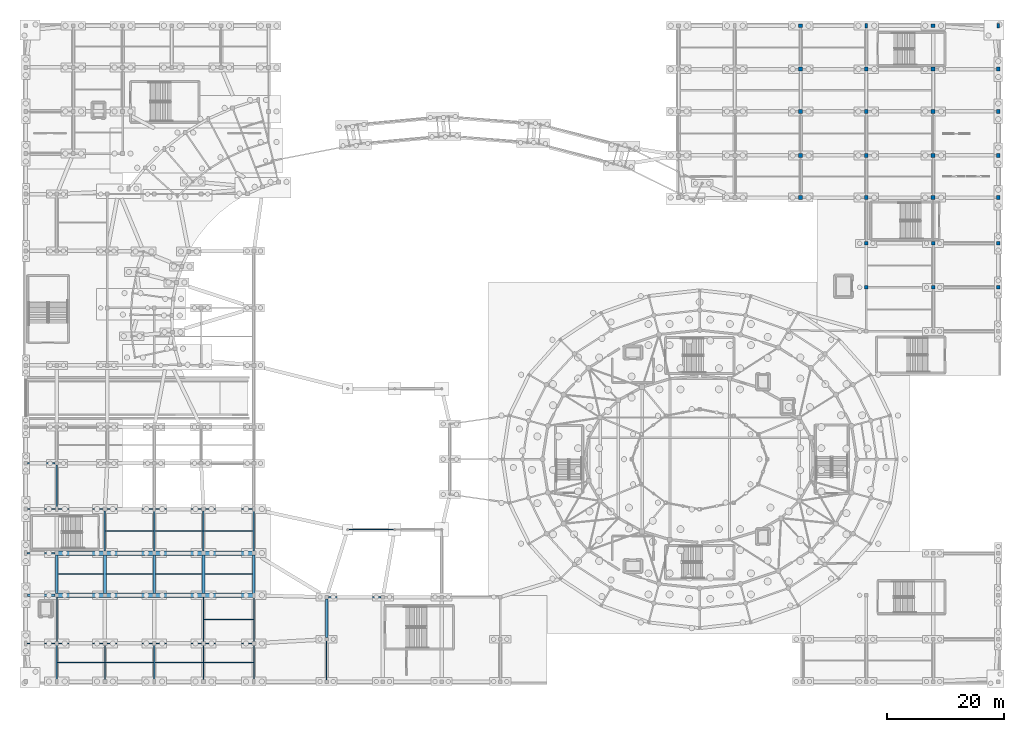
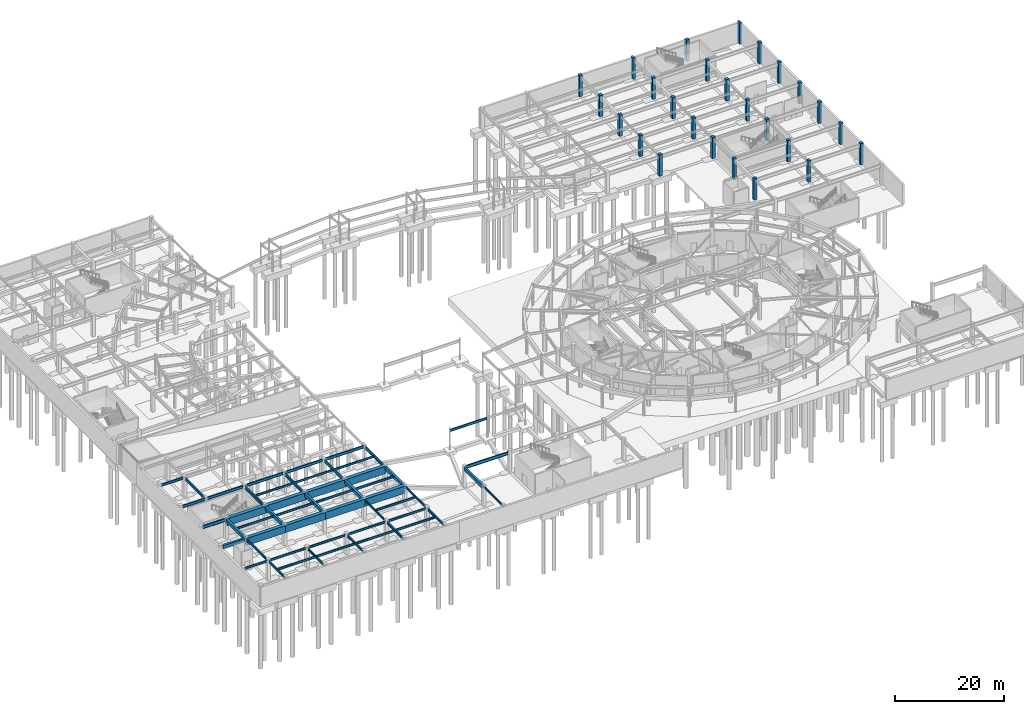
# One storey, part 26 of 68: 55 beams, 26 columns.
"""IFC4 building model written with IfcOpenShell, lengths in metres."""

from ifc_helpers import new_model, si_unit, direction, frame, origin, origin_2d, place, context, subcontext, project, spatial, rectangle, i_section, extrude, material, material_profile, profile_set, type_object, element, save


model = new_model("IFC4")

# Units and contexts
model_context = context("Model", 3, precision=1e-05, world=origin(), true_north=direction((0.0, 1.0)))
body_context = subcontext(model_context, "Body", "Model", "MODEL_VIEW")
ifc_project = project(units=[si_unit("LENGTHUNIT", "METRE"), si_unit("AREAUNIT", "SQUARE_METRE"), si_unit("VOLUMEUNIT", "CUBIC_METRE"), si_unit("PLANEANGLEUNIT", "RADIAN"), si_unit("MASSUNIT", "GRAM", prefix="KILO")], contexts=[model_context])

# Site, building, storey
site_placement = place(None, origin())
site = spatial("IfcSite", under=ifc_project, at=site_placement, CompositionType="ELEMENT")
building_placement = place(site_placement, origin())
building = spatial("IfcBuilding", under=site, at=building_placement, Name="Cinderbank Siding Concert Hall", CompositionType="ELEMENT")
storey_placement = place(building_placement, frame((0.0, 0.0, -4.800048828125)))
storey = spatial("IfcBuildingStorey", under=building, at=storey_placement, Name="B1", CompositionType="ELEMENT", Elevation=-4.800048828125)

# Columns
ifc_material_1 = material(Name="Reinforced concrete AS 3600 N50 (50 MPa)", Category="concrete")
ifc_material_profile_1 = material_profile(ifc_material_1, rectangle(XDim=0.60009765625, YDim=0.60009765625, at=origin_2d()), Name="RC-COL-600x600", Category="LoadBearing")
ifc_profile_set_1 = profile_set([ifc_material_profile_1], Name="Reinforced concrete AS 3600 N50 (50 MPa)")
column_type_1 = type_object("IfcColumnType", Name="C-RC600 RC-COL-600x600", PredefinedType="COLUMN", material=ifc_profile_set_1)
for number, where, z_axis, x_axis, name in (
    (1, (150.39990234375, 73.300048828125, 0.0), (0.0, 0.0, 1.0), (1.0, 0.0, 0.0), "B1 Column COL-EL-1-2"),
    (2, (150.39990234375, 80.800048828125, 0.0), (0.0, 0.0, 1.0), (1.0, 0.0, 0.0), "B1 Column COL-EL-1-3"),
    (3, (161.800048828125, 73.300048828125, 0.0), (0.0, 0.0, 1.0), (1.0, 0.0, 0.0), "B1 Column COL-EL-2-2"),
    (4, (161.800048828125, 80.800048828125, 0.0), (0.0, 0.0, 1.0), (1.0, 0.0, 0.0), "B1 Column COL-EL-2-3"),
    (5, (172.89990234375, 73.300048828125, 0.0), (0.0, 0.0, 1.0), (1.0, 0.0, 0.0), "B1 Column COL-EL-3-2"),
    (6, (172.89990234375, 80.800048828125, 0.0), (0.0, 0.0, 1.0), (1.0, 0.0, 0.0), "B1 Column COL-EL-3-3"),
):
    element("IfcColumn", number, at=place(storey_placement, frame(where, z_axis=z_axis, x_axis=x_axis)), inside=storey, type_object=column_type_1, Name=name, PredefinedType="COLUMN", context=body_context, shape_type="SweptSolid", body=[
        extrude(rectangle(XDim=0.60009765625, YDim=0.60009765625, at=origin_2d()), origin(), (0.0, 0.0, 1.0), 4.800048828125),
    ])
ifc_material_profile_2 = material_profile(ifc_material_1, rectangle(XDim=0.64990234375, YDim=0.64990234375, at=origin_2d()), Name="RC-COL-650x650", Category="LoadBearing")
ifc_profile_set_2 = profile_set([ifc_material_profile_2], Name="Reinforced concrete AS 3600 N50 (50 MPa)")
column_type_2 = type_object("IfcColumnType", Name="C-RC650 RC-COL-650x650", PredefinedType="COLUMN", material=ifc_profile_set_2)
for number, where, z_axis, x_axis, name in (
    (7, (139.199951171875, 88.60009765625, 0.0), (0.0, 0.0, 1.0), (1.0, 0.0, 0.0), "B1 Column COL-V3-3-1"),
    (8, (139.199951171875, 95.800048828125, 0.0), (0.0, 0.0, 1.0), (1.0, 0.0, 0.0), "B1 Column COL-V3-3-2"),
    (9, (139.199951171875, 103.300048828125, 0.0), (0.0, 0.0, 1.0), (1.0, 0.0, 0.0), "B1 Column COL-V3-3-3"),
    (10, (139.199951171875, 110.5, 0.0), (0.0, 0.0, 1.0), (1.0, 0.0, 0.0), "B1 Column COL-V3-3-4"),
    (11, (139.199951171875, 117.89990234375, 0.0), (0.0, 0.0, 1.0), (1.0, 0.0, 0.0), "B1 Column COL-V3-3-5"),
    (12, (150.39990234375, 88.60009765625, 0.0), (0.0, 0.0, 1.0), (1.0, 0.0, 0.0), "B1 Column COL-V3-4-1"),
    (13, (150.39990234375, 95.800048828125, 0.0), (0.0, 0.0, 1.0), (1.0, 0.0, 0.0), "B1 Column COL-V3-4-2"),
    (14, (150.39990234375, 103.300048828125, 0.0), (0.0, 0.0, 1.0), (1.0, 0.0, 0.0), "B1 Column COL-V3-4-3"),
    (15, (150.39990234375, 110.5, 0.0), (0.0, 0.0, 1.0), (1.0, 0.0, 0.0), "B1 Column COL-V3-4-4"),
    (16, (161.800048828125, 88.60009765625, 0.0), (0.0, 0.0, 1.0), (1.0, 0.0, 0.0), "B1 Column COL-V3-5-1"),
    (17, (161.800048828125, 95.800048828125, 0.0), (0.0, 0.0, 1.0), (1.0, 0.0, 0.0), "B1 Column COL-V3-5-2"),
    (18, (161.800048828125, 103.300048828125, 0.0), (0.0, 0.0, 1.0), (1.0, 0.0, 0.0), "B1 Column COL-V3-5-3"),
    (19, (161.800048828125, 110.5, 0.0), (0.0, 0.0, 1.0), (1.0, 0.0, 0.0), "B1 Column COL-V3-5-4"),
    (20, (161.800048828125, 117.89990234375, 0.0), (0.0, 0.0, 1.0), (1.0, 0.0, 0.0), "B1 Column COL-V3-5-5"),
    (21, (172.89990234375, 88.60009765625, 0.0), (0.0, 0.0, 1.0), (1.0, 0.0, 0.0), "B1 Column COL-V3-6-1"),
    (22, (172.89990234375, 95.800048828125, 0.0), (0.0, 0.0, 1.0), (1.0, 0.0, 0.0), "B1 Column COL-V3-6-2"),
    (23, (172.89990234375, 103.300048828125, 0.0), (0.0, 0.0, 1.0), (1.0, 0.0, 0.0), "B1 Column COL-V3-6-3"),
    (24, (172.89990234375, 110.5, 0.0), (0.0, 0.0, 1.0), (1.0, 0.0, 0.0), "B1 Column COL-V3-6-4"),
):
    element("IfcColumn", number, at=place(storey_placement, frame(where, z_axis=z_axis, x_axis=x_axis)), inside=storey, type_object=column_type_2, Name=name, PredefinedType="COLUMN", context=body_context, shape_type="SweptSolid", body=[
        extrude(rectangle(XDim=0.64990234375, YDim=0.64990234375, at=origin_2d()), origin(), (0.0, 0.0, 1.0), 4.800048828125),
    ])
ifc_material_profile_3 = material_profile(ifc_material_1, rectangle(XDim=0.449951171875, YDim=0.85009765625, at=origin_2d()), Name="RC-PIER-450x850", Category="LoadBearing")
ifc_profile_set_3 = profile_set([ifc_material_profile_3], Name="Reinforced concrete AS 3600 N50 (50 MPa)")
column_type_3 = type_object("IfcColumnType", Name="PL-RC850 RC-PIER-450x850", PredefinedType="PILASTER", material=ifc_profile_set_3)
for number, where, z_axis, x_axis, name in (
    (25, (150.39990234375, 117.89990234375, 0.0), (0.0, 0.0, 1.0), (1.0, 0.0, 0.0), "B1 Column COL-V3-4-5"),
    (26, (172.89990234375, 117.89990234375, 0.0), (0.0, 0.0, 1.0), (1.0, 0.0, 0.0), "B1 Column COL-V3-6-5"),
):
    element("IfcColumn", number, at=place(storey_placement, frame(where, z_axis=z_axis, x_axis=x_axis)), inside=storey, type_object=column_type_3, Name=name, PredefinedType="PILASTER", context=body_context, shape_type="SweptSolid", body=[
        extrude(rectangle(XDim=0.449951171875, YDim=0.85009765625, at=origin_2d()), origin(), (0.0, 0.0, 1.0), 4.800048828125),
    ])

# Beams
ifc_material_profile_4 = material_profile(ifc_material_1, rectangle(XDim=0.449951171875, YDim=0.75, at=origin_2d()), Name="RC-BM-450x750", Category="LoadBearing")
ifc_profile_set_4 = profile_set([ifc_material_profile_4], Name="Reinforced concrete AS 3600 N50 (50 MPa)")
beam_type_1 = type_object("IfcBeamType", Name="BM-RC750 RC-BM-450x750", PredefinedType="BEAM", material=ifc_profile_set_4)
beam_1_placement = place(storey_placement, frame((7.4169921875, 20.800048828125, 4.10693359375), z_axis=(1.0, 0.0, 0.0), x_axis=(0.0, 1.0, 0.0)))
element("IfcBeam", 27, at=beam_1_placement, inside=storey, type_object=beam_type_1, Name="B1 Beam BM-RC750 #1069", PredefinedType="BEAM", context=body_context, shape_type="SweptSolid", body=[
    extrude(rectangle(XDim=0.449951171875, YDim=0.75, at=origin_2d()), origin(), (0.0, 0.0, 1.0), 4.666015625),
])
for number, where, z_axis, x_axis, name in (
    (28, (12.39990234375, 21.116943359375, 4.10693359375), (0.0, 1.0, 0.0), (-1.0, 0.0, 0.0), "B1 Beam BM-RC750 #1075"),
    (29, (20.60009765625, 21.116943359375, 4.10693359375), (0.0, 1.0, 0.0), (-1.0, 0.0, 0.0), "B1 Beam BM-RC750 #1080"),
    (30, (29.0, 21.116943359375, 4.10693359375), (0.0, 1.0, 0.0), (-1.0, 0.0, 0.0), "B1 Beam BM-RC750 #1085"),
    (31, (37.39990234375, 21.116943359375, 4.10693359375), (0.0, 1.0, 0.0), (-1.0, 0.0, 0.0), "B1 Beam BM-RC750 #1092"),
):
    element("IfcBeam", number, at=place(storey_placement, frame(where, z_axis=z_axis, x_axis=x_axis)), inside=storey, type_object=beam_type_1, Name=name, PredefinedType="BEAM", context=body_context, shape_type="SweptSolid", body=[
        extrude(rectangle(XDim=0.449951171875, YDim=0.75, at=origin_2d()), origin(), (0.0, 0.0, 1.0), 6.566162109375),
    ])
beam_2_placement = place(storey_placement, frame((46.0, 21.01708984375, 4.10693359375), z_axis=(0.0, 1.0, 0.0), x_axis=(-1.0, 0.0, 0.0)))
element("IfcBeam", 32, at=beam_2_placement, inside=storey, type_object=beam_type_1, Name="B1 Beam BM-RC750 #1097", PredefinedType="BEAM", context=body_context, shape_type="SweptSolid", body=[
    extrude(rectangle(XDim=0.449951171875, YDim=0.75, at=origin_2d()), origin(), (0.0, 0.0, 1.0), 6.666015625),
])
beam_3_placement = place(storey_placement, frame((58.39990234375, 13.592041015625, 4.14697265625), z_axis=(0.0, 1.0, 0.0), x_axis=(-1.0, 0.0, 0.0)))
element("IfcBeam", 33, at=beam_3_placement, inside=storey, type_object=beam_type_1, Name="B1 Beam BM-RC750 #1166", PredefinedType="BEAM", context=body_context, shape_type="SweptSolid", body=[
    extrude(rectangle(XDim=0.449951171875, YDim=0.75, at=origin_2d()), origin(), (0.0, 0.0, 1.0), 6.615966796875),
])
ifc_material_profile_5 = material_profile(ifc_material_1, rectangle(XDim=0.75, YDim=1.60009765625, at=origin_2d()), Name="RC-TG-750x1600", Category="LoadBearing")
ifc_profile_set_5 = profile_set([ifc_material_profile_5], Name="Reinforced concrete AS 3600 N50 (50 MPa)")
beam_type_2 = type_object("IfcBeamType", Name="BM-TG1600 RC-TG-750x1600", PredefinedType="BEAM", material=ifc_profile_set_5)
beam_4_placement = place(storey_placement, frame((12.39990234375, 20.800048828125, 3.68212890625), z_axis=(1.0, 0.0, 0.0), x_axis=(0.0, 1.0, 0.0)))
element("IfcBeam", 34, at=beam_4_placement, inside=storey, type_object=beam_type_2, Name="B1 Transfer Girder BM-TG1600 #7", PredefinedType="BEAM", context=body_context, shape_type="SweptSolid", body=[
    extrude(rectangle(XDim=0.75, YDim=1.60009765625, at=origin_2d()), origin(), (0.0, 0.0, 1.0), 8.2001953125),
])
for number, where, z_axis, x_axis, name in (
    (35, (20.60009765625, 20.800048828125, 3.68212890625), (1.0, 0.0, 0.0), (0.0, 1.0, 0.0), "B1 Transfer Girder BM-TG1600 #8"),
    (36, (29.0, 20.800048828125, 3.68212890625), (1.0, 0.0, 0.0), (0.0, 1.0, 0.0), "B1 Transfer Girder BM-TG1600 #9"),
):
    element("IfcBeam", number, at=place(storey_placement, frame(where, z_axis=z_axis, x_axis=x_axis)), inside=storey, type_object=beam_type_2, Name=name, PredefinedType="BEAM", context=body_context, shape_type="SweptSolid", body=[
        extrude(rectangle(XDim=0.75, YDim=1.60009765625, at=origin_2d()), origin(), (0.0, 0.0, 1.0), 8.39990234375),
    ])
beam_5_placement = place(storey_placement, frame((37.39990234375, 20.800048828125, 3.68212890625), z_axis=(1.0, 0.0, 0.0), x_axis=(0.0, 1.0, 0.0)))
element("IfcBeam", 37, at=beam_5_placement, inside=storey, type_object=beam_type_2, Name="B1 Transfer Girder BM-TG1600 #10", PredefinedType="BEAM", context=body_context, shape_type="SweptSolid", body=[
    extrude(rectangle(XDim=0.75, YDim=1.60009765625, at=origin_2d()), origin(), (0.0, 0.0, 1.0), 8.60009765625),
])
beam_6_placement = place(storey_placement, frame((12.39990234375, 28.0, 3.68212890625), z_axis=(1.0, 0.0, 0.0), x_axis=(0.0, 1.0, 0.0)))
element("IfcBeam", 38, at=beam_6_placement, inside=storey, type_object=beam_type_2, Name="B1 Transfer Girder BM-TG1600 #11", PredefinedType="BEAM", context=body_context, shape_type="SweptSolid", body=[
    extrude(rectangle(XDim=0.75, YDim=1.60009765625, at=origin_2d()), origin(), (0.0, 0.0, 1.0), 8.2001953125),
])
for number, where, z_axis, x_axis, name in (
    (39, (20.60009765625, 28.0, 3.68212890625), (1.0, 0.0, 0.0), (0.0, 1.0, 0.0), "B1 Transfer Girder BM-TG1600 #12"),
    (40, (29.0, 28.0, 3.68212890625), (1.0, 0.0, 0.0), (0.0, 1.0, 0.0), "B1 Transfer Girder BM-TG1600 #13"),
):
    element("IfcBeam", number, at=place(storey_placement, frame(where, z_axis=z_axis, x_axis=x_axis)), inside=storey, type_object=beam_type_2, Name=name, PredefinedType="BEAM", context=body_context, shape_type="SweptSolid", body=[
        extrude(rectangle(XDim=0.75, YDim=1.60009765625, at=origin_2d()), origin(), (0.0, 0.0, 1.0), 8.39990234375),
    ])
beam_7_placement = place(storey_placement, frame((37.39990234375, 28.0, 3.68212890625), z_axis=(1.0, 0.0, 0.0), x_axis=(0.0, 1.0, 0.0)))
element("IfcBeam", 41, at=beam_7_placement, inside=storey, type_object=beam_type_2, Name="B1 Transfer Girder BM-TG1600 #14", PredefinedType="BEAM", context=body_context, shape_type="SweptSolid", body=[
    extrude(rectangle(XDim=0.75, YDim=1.60009765625, at=origin_2d()), origin(), (0.0, 0.0, 1.0), 8.60009765625),
])
ifc_material_2 = material(Name="Structural steel AS/NZS 3679.1 Grade 350 (340 MPa)", Category="steel")
ifc_material_profile_6 = material_profile(ifc_material_2, i_section(OverallWidth=0.18994140625, OverallDepth=0.45751953125, WebThickness=0.009033203125, FlangeThickness=0.014404296875, at=origin_2d()), Name="460UB74.6", Category="LoadBearing")
ifc_profile_set_6 = profile_set([ifc_material_profile_6], Name="Structural steel AS/NZS 3679.1 Grade 350 (340 MPa)")
beam_type_3 = type_object("IfcBeamType", Name="BM-UB460 460UB74.6", PredefinedType="BEAM", material=ifc_profile_set_6)
beam_8_placement = place(storey_placement, frame((7.31689453125, 12.60009765625, 4.25341796875), z_axis=(1.0, 0.0, 0.0), x_axis=(0.0, 1.0, 0.0)))
element("IfcBeam", 42, at=beam_8_placement, inside=storey, type_object=beam_type_3, Name="B1 Beam BM-UB460 #1068", PredefinedType="BEAM", context=body_context, shape_type="SweptSolid", body=[
    extrude(i_section(OverallWidth=0.18994140625, OverallDepth=0.45751953125, WebThickness=0.009033203125, FlangeThickness=0.014404296875, at=origin_2d()), origin(), (0.0, 0.0, 1.0), 4.76611328125),
])
for number, where, z_axis, x_axis, name in (
    (43, (12.717041015625, 12.60009765625, 4.25341796875), (1.0, 0.0, 0.0), (0.0, 1.0, 0.0), "B1 Beam BM-UB460 #1073"),
    (44, (12.39990234375, 12.9169921875, 4.25341796875), (0.0, 1.0, 0.0), (-1.0, 0.0, 0.0), "B1 Beam BM-UB460 #1074"),
):
    element("IfcBeam", number, at=place(storey_placement, frame(where, z_axis=z_axis, x_axis=x_axis)), inside=storey, type_object=beam_type_3, Name=name, PredefinedType="BEAM", context=body_context, shape_type="SweptSolid", body=[
        extrude(i_section(OverallWidth=0.18994140625, OverallDepth=0.45751953125, WebThickness=0.009033203125, FlangeThickness=0.014404296875, at=origin_2d()), origin(), (0.0, 0.0, 1.0), 7.56591796875),
    ])
for number, where, z_axis, x_axis, name in (
    (45, (20.9169921875, 12.60009765625, 4.25341796875), (1.0, 0.0, 0.0), (0.0, 1.0, 0.0), "B1 Beam BM-UB460 #1079"),
    (46, (29.31689453125, 12.60009765625, 4.25341796875), (1.0, 0.0, 0.0), (0.0, 1.0, 0.0), "B1 Beam BM-UB460 #1084"),
):
    element("IfcBeam", number, at=place(storey_placement, frame(where, z_axis=z_axis, x_axis=x_axis)), inside=storey, type_object=beam_type_3, Name=name, PredefinedType="BEAM", context=body_context, shape_type="SweptSolid", body=[
        extrude(i_section(OverallWidth=0.18994140625, OverallDepth=0.45751953125, WebThickness=0.009033203125, FlangeThickness=0.014404296875, at=origin_2d()), origin(), (0.0, 0.0, 1.0), 7.76611328125),
    ])
beam_9_placement = place(storey_placement, frame((37.717041015625, 12.60009765625, 4.25341796875), z_axis=(1.0, 0.0, 0.0), x_axis=(0.0, 1.0, 0.0)))
element("IfcBeam", 47, at=beam_9_placement, inside=storey, type_object=beam_type_3, Name="B1 Beam BM-UB460 #1090", PredefinedType="BEAM", context=body_context, shape_type="SweptSolid", body=[
    extrude(i_section(OverallWidth=0.18994140625, OverallDepth=0.45751953125, WebThickness=0.009033203125, FlangeThickness=0.014404296875, at=origin_2d()), origin(), (0.0, 0.0, 1.0), 7.966064453125),
])
beam_10_placement = place(storey_placement, frame((37.39990234375, 12.9169921875, 4.25341796875), z_axis=(0.0, 1.0, 0.0), x_axis=(-1.0, 0.0, 0.0)))
element("IfcBeam", 48, at=beam_10_placement, inside=storey, type_object=beam_type_3, Name="B1 Beam BM-UB460 #1091", PredefinedType="BEAM", context=body_context, shape_type="SweptSolid", body=[
    extrude(i_section(OverallWidth=0.18994140625, OverallDepth=0.45751953125, WebThickness=0.009033203125, FlangeThickness=0.014404296875, at=origin_2d()), origin(), (0.0, 0.0, 1.0), 7.56591796875),
])
beam_11_placement = place(storey_placement, frame((46.0, 12.9169921875, 4.25341796875), z_axis=(0.0, 1.0, 0.0), x_axis=(-1.0, 0.0, 0.0)))
element("IfcBeam", 49, at=beam_11_placement, inside=storey, type_object=beam_type_3, Name="B1 Beam BM-UB460 #1096", PredefinedType="BEAM", context=body_context, shape_type="SweptSolid", body=[
    extrude(i_section(OverallWidth=0.18994140625, OverallDepth=0.45751953125, WebThickness=0.009033203125, FlangeThickness=0.014404296875, at=origin_2d()), origin(), (0.0, 0.0, 1.0), 7.666015625),
])
beam_12_placement = place(storey_placement, frame((58.39990234375, 6.39208984375, 4.29345703125), z_axis=(0.0, 1.0, 0.0), x_axis=(-1.0, 0.0, 0.0)))
element("IfcBeam", 50, at=beam_12_placement, inside=storey, type_object=beam_type_3, Name="B1 Beam BM-UB460 #1165", PredefinedType="BEAM", context=body_context, shape_type="SweptSolid", body=[
    extrude(i_section(OverallWidth=0.18994140625, OverallDepth=0.45751953125, WebThickness=0.009033203125, FlangeThickness=0.014404296875, at=origin_2d()), origin(), (0.0, 0.0, 1.0), 6.615966796875),
])
ifc_material_profile_7 = material_profile(ifc_material_2, i_section(OverallWidth=0.208984375, OverallDepth=0.5283203125, WebThickness=0.009521484375, FlangeThickness=0.01318359375, at=origin_2d()), Name="530UB82.0", Category="LoadBearing")
ifc_profile_set_7 = profile_set([ifc_material_profile_7], Name="Structural steel AS/NZS 3679.1 Grade 350 (340 MPa)")
beam_type_4 = type_object("IfcBeamType", Name="BM-UB530 530UB82.0", PredefinedType="BEAM", material=ifc_profile_set_7)
beam_13_placement = place(storey_placement, frame((12.39990234375, 6.31689453125, 4.218017578125), z_axis=(0.0, 1.0, 0.0), x_axis=(-1.0, 0.0, 0.0)))
element("IfcBeam", 51, at=beam_13_placement, inside=storey, type_object=beam_type_4, Name="B1 Beam BM-UB530 #1072", PredefinedType="BEAM", context=body_context, shape_type="SweptSolid", body=[
    extrude(i_section(OverallWidth=0.208984375, OverallDepth=0.5283203125, WebThickness=0.009521484375, FlangeThickness=0.01318359375, at=origin_2d()), origin(), (0.0, 0.0, 1.0), 5.966064453125),
])
beam_14_placement = place(storey_placement, frame((20.60009765625, 6.4169921875, 4.218017578125), z_axis=(0.0, 1.0, 0.0), x_axis=(-1.0, 0.0, 0.0)))
element("IfcBeam", 52, at=beam_14_placement, inside=storey, type_object=beam_type_4, Name="B1 Beam BM-UB530 #1078", PredefinedType="BEAM", context=body_context, shape_type="SweptSolid", body=[
    extrude(i_section(OverallWidth=0.208984375, OverallDepth=0.5283203125, WebThickness=0.009521484375, FlangeThickness=0.01318359375, at=origin_2d()), origin(), (0.0, 0.0, 1.0), 5.865966796875),
])
beam_15_placement = place(storey_placement, frame((29.0, 6.31689453125, 4.218017578125), z_axis=(0.0, 1.0, 0.0), x_axis=(-1.0, 0.0, 0.0)))
element("IfcBeam", 53, at=beam_15_placement, inside=storey, type_object=beam_type_4, Name="B1 Beam BM-UB530 #1083", PredefinedType="BEAM", context=body_context, shape_type="SweptSolid", body=[
    extrude(i_section(OverallWidth=0.208984375, OverallDepth=0.5283203125, WebThickness=0.009521484375, FlangeThickness=0.01318359375, at=origin_2d()), origin(), (0.0, 0.0, 1.0), 5.966064453125),
])
beam_16_placement = place(storey_placement, frame((37.39990234375, 6.4169921875, 4.218017578125), z_axis=(0.0, 1.0, 0.0), x_axis=(-1.0, 0.0, 0.0)))
element("IfcBeam", 54, at=beam_16_placement, inside=storey, type_object=beam_type_4, Name="B1 Beam BM-UB530 #1089", PredefinedType="BEAM", context=body_context, shape_type="SweptSolid", body=[
    extrude(i_section(OverallWidth=0.208984375, OverallDepth=0.5283203125, WebThickness=0.009521484375, FlangeThickness=0.01318359375, at=origin_2d()), origin(), (0.0, 0.0, 1.0), 5.865966796875),
])
beam_17_placement = place(storey_placement, frame((46.0, 6.31689453125, 4.218017578125), z_axis=(0.0, 1.0, 0.0), x_axis=(-1.0, 0.0, 0.0)))
element("IfcBeam", 55, at=beam_17_placement, inside=storey, type_object=beam_type_4, Name="B1 Beam BM-UB530 #1095", PredefinedType="BEAM", context=body_context, shape_type="SweptSolid", body=[
    extrude(i_section(OverallWidth=0.208984375, OverallDepth=0.5283203125, WebThickness=0.009521484375, FlangeThickness=0.01318359375, at=origin_2d()), origin(), (0.0, 0.0, 1.0), 5.966064453125),
])
beam_18_placement = place(storey_placement, frame((7.4169921875, 43.300048828125, 4.238037109375), z_axis=(1.0, 0.0, 0.0), x_axis=(0.0, 1.0, 0.0)))
element("IfcBeam", 56, at=beam_18_placement, inside=storey, type_object=beam_type_4, Name="B1 Beam BM-UB530 #1185", PredefinedType="BEAM", context=body_context, shape_type="SweptSolid", body=[
    extrude(i_section(OverallWidth=0.208984375, OverallDepth=0.5283203125, WebThickness=0.009521484375, FlangeThickness=0.01318359375, at=origin_2d()), origin(), (0.0, 0.0, 1.0), 4.666015625),
])
beam_19_placement = place(storey_placement, frame((62.154052734375, 32.0, 4.218017578125), z_axis=(1.0, 0.0, 0.0), x_axis=(0.0, 1.0, 0.0)))
element("IfcBeam", 57, at=beam_19_placement, inside=storey, type_object=beam_type_4, Name="B1 Beam BM-UB530 #1225", PredefinedType="BEAM", context=body_context, shape_type="SweptSolid", body=[
    extrude(i_section(OverallWidth=0.208984375, OverallDepth=0.5283203125, WebThickness=0.009521484375, FlangeThickness=0.01318359375, at=origin_2d()), origin(), (0.0, 0.0, 1.0), 7.692138671875),
])
ifc_material_profile_8 = material_profile(ifc_material_2, i_section(OverallWidth=0.22802734375, OverallDepth=0.602294921875, WebThickness=0.010498046875, FlangeThickness=0.014892578125, at=origin_2d()), Name="610UB101", Category="LoadBearing")
ifc_profile_set_8 = profile_set([ifc_material_profile_8], Name="Structural steel AS/NZS 3679.1 Grade 350 (340 MPa)")
beam_type_5 = type_object("IfcBeamType", Name="BM-UB610 610UB101", PredefinedType="BEAM", material=ifc_profile_set_8)
beam_20_placement = place(storey_placement, frame((7.4169921875, 35.5, 4.180908203125), z_axis=(1.0, 0.0, 0.0), x_axis=(0.0, 1.0, 0.0)))
element("IfcBeam", 58, at=beam_20_placement, inside=storey, type_object=beam_type_5, Name="B1 Beam BM-UB610 #1071", PredefinedType="BEAM", context=body_context, shape_type="SweptSolid", body=[
    extrude(i_section(OverallWidth=0.22802734375, OverallDepth=0.602294921875, WebThickness=0.010498046875, FlangeThickness=0.014892578125, at=origin_2d()), origin(), (0.0, 0.0, 1.0), 4.76611328125),
])
beam_21_placement = place(storey_placement, frame((12.616943359375, 35.5, 4.180908203125), z_axis=(1.0, 0.0, 0.0), x_axis=(0.0, 1.0, 0.0)))
element("IfcBeam", 59, at=beam_21_placement, inside=storey, type_object=beam_type_5, Name="B1 Beam BM-UB610 #1076", PredefinedType="BEAM", context=body_context, shape_type="SweptSolid", body=[
    extrude(i_section(OverallWidth=0.22802734375, OverallDepth=0.602294921875, WebThickness=0.010498046875, FlangeThickness=0.014892578125, at=origin_2d()), origin(), (0.0, 0.0, 1.0), 7.666015625),
])
beam_22_placement = place(storey_placement, frame((12.39990234375, 35.717041015625, 4.180908203125), z_axis=(0.0, 1.0, 0.0), x_axis=(-1.0, 0.0, 0.0)))
element("IfcBeam", 60, at=beam_22_placement, inside=storey, type_object=beam_type_5, Name="B1 Beam BM-UB610 #1077", PredefinedType="BEAM", context=body_context, shape_type="SweptSolid", body=[
    extrude(i_section(OverallWidth=0.22802734375, OverallDepth=0.602294921875, WebThickness=0.010498046875, FlangeThickness=0.014892578125, at=origin_2d()), origin(), (0.0, 0.0, 1.0), 7.265869140625),
])
for number, where, z_axis, x_axis, name in (
    (61, (20.9169921875, 35.5, 4.180908203125), (1.0, 0.0, 0.0), (0.0, 1.0, 0.0), "B1 Beam BM-UB610 #1082"),
    (62, (29.217041015625, 35.5, 4.180908203125), (1.0, 0.0, 0.0), (0.0, 1.0, 0.0), "B1 Beam BM-UB610 #1087"),
):
    element("IfcBeam", number, at=place(storey_placement, frame(where, z_axis=z_axis, x_axis=x_axis)), inside=storey, type_object=beam_type_5, Name=name, PredefinedType="BEAM", context=body_context, shape_type="SweptSolid", body=[
        extrude(i_section(OverallWidth=0.22802734375, OverallDepth=0.602294921875, WebThickness=0.010498046875, FlangeThickness=0.014892578125, at=origin_2d()), origin(), (0.0, 0.0, 1.0), 7.865966796875),
    ])
beam_23_placement = place(storey_placement, frame((37.717041015625, 35.5, 4.180908203125), z_axis=(1.0, 0.0, 0.0), x_axis=(0.0, 1.0, 0.0)))
element("IfcBeam", 63, at=beam_23_placement, inside=storey, type_object=beam_type_5, Name="B1 Beam BM-UB610 #1094", PredefinedType="BEAM", context=body_context, shape_type="SweptSolid", body=[
    extrude(i_section(OverallWidth=0.22802734375, OverallDepth=0.602294921875, WebThickness=0.010498046875, FlangeThickness=0.014892578125, at=origin_2d()), origin(), (0.0, 0.0, 1.0), 8.06591796875),
])
ifc_material_3 = material(Name="Structural steel welded plate section AS/NZS 3679.2 / AS/NZS 3678 Grade 350 (340 MPa)", Category="steel")
ifc_material_profile_9 = material_profile(ifc_material_3, i_section(OverallWidth=0.25, OverallDepth=0.699951171875, WebThickness=0.010009765625, FlangeThickness=0.01611328125, at=origin_2d()), Name="700WB130", Category="LoadBearing")
ifc_profile_set_9 = profile_set([ifc_material_profile_9], Name="Structural steel welded plate section AS/NZS 3679.2 / AS/NZS 3678 Grade 350 (340 MPa)")
beam_type_6 = type_object("IfcBeamType", Name="BM-WB700 700WB130", PredefinedType="BEAM", material=ifc_profile_set_9)
beam_24_placement = place(storey_placement, frame((7.31689453125, 28.0, 4.132080078125), z_axis=(1.0, 0.0, 0.0), x_axis=(0.0, 1.0, 0.0)))
element("IfcBeam", 64, at=beam_24_placement, inside=storey, type_object=beam_type_6, Name="B1 Beam BM-WB700 #1070", PredefinedType="BEAM", context=body_context, shape_type="SweptSolid", body=[
    extrude(i_section(OverallWidth=0.25, OverallDepth=0.699951171875, WebThickness=0.010009765625, FlangeThickness=0.01611328125, at=origin_2d()), origin(), (0.0, 0.0, 1.0), 4.76611328125),
])
beam_25_placement = place(storey_placement, frame((20.60009765625, 28.31689453125, 4.132080078125), z_axis=(0.0, 1.0, 0.0), x_axis=(-1.0, 0.0, 0.0)))
element("IfcBeam", 65, at=beam_25_placement, inside=storey, type_object=beam_type_6, Name="B1 Beam BM-WB700 #1081", PredefinedType="BEAM", context=body_context, shape_type="SweptSolid", body=[
    extrude(i_section(OverallWidth=0.25, OverallDepth=0.699951171875, WebThickness=0.010009765625, FlangeThickness=0.01611328125, at=origin_2d()), origin(), (0.0, 0.0, 1.0), 6.8662109375),
])
beam_26_placement = place(storey_placement, frame((29.0, 28.31689453125, 4.132080078125), z_axis=(0.0, 1.0, 0.0), x_axis=(-1.0, 0.0, 0.0)))
element("IfcBeam", 66, at=beam_26_placement, inside=storey, type_object=beam_type_6, Name="B1 Beam BM-WB700 #1086", PredefinedType="BEAM", context=body_context, shape_type="SweptSolid", body=[
    extrude(i_section(OverallWidth=0.25, OverallDepth=0.699951171875, WebThickness=0.010009765625, FlangeThickness=0.01611328125, at=origin_2d()), origin(), (0.0, 0.0, 1.0), 6.966064453125),
])
beam_27_placement = place(storey_placement, frame((37.39990234375, 28.31689453125, 4.132080078125), z_axis=(0.0, 1.0, 0.0), x_axis=(-1.0, 0.0, 0.0)))
element("IfcBeam", 67, at=beam_27_placement, inside=storey, type_object=beam_type_6, Name="B1 Beam BM-WB700 #1093", PredefinedType="BEAM", context=body_context, shape_type="SweptSolid", body=[
    extrude(i_section(OverallWidth=0.25, OverallDepth=0.699951171875, WebThickness=0.010009765625, FlangeThickness=0.01611328125, at=origin_2d()), origin(), (0.0, 0.0, 1.0), 6.8662109375),
])
beam_28_placement = place(storey_placement, frame((46.0, 28.31689453125, 4.132080078125), z_axis=(0.0, 1.0, 0.0), x_axis=(-1.0, 0.0, 0.0)))
element("IfcBeam", 68, at=beam_28_placement, inside=storey, type_object=beam_type_6, Name="B1 Beam BM-WB700 #1098", PredefinedType="BEAM", context=body_context, shape_type="SweptSolid", body=[
    extrude(i_section(OverallWidth=0.25, OverallDepth=0.699951171875, WebThickness=0.010009765625, FlangeThickness=0.01611328125, at=origin_2d()), origin(), (0.0, 0.0, 1.0), 6.966064453125),
])
beam_29_placement = place(storey_placement, frame((58.69189453125, 20.5, 4.172119140625), z_axis=(1.0, 0.0, 0.0), x_axis=(0.0, 1.0, 0.0)))
element("IfcBeam", 69, at=beam_29_placement, inside=storey, type_object=beam_type_6, Name="B1 Beam BM-WB700 #1167", PredefinedType="BEAM", context=body_context, shape_type="SweptSolid", body=[
    extrude(i_section(OverallWidth=0.25, OverallDepth=0.699951171875, WebThickness=0.010009765625, FlangeThickness=0.01611328125, at=origin_2d()), origin(), (0.0, 0.0, 1.0), 9.01611328125),
])
ifc_material_profile_10 = material_profile(ifc_material_2, i_section(OverallWidth=0.18994140625, OverallDepth=0.453857421875, WebThickness=0.008544921875, FlangeThickness=0.0126953125, at=origin_2d()), Name="460UB67.1", Category="LoadBearing")
ifc_profile_set_10 = profile_set([ifc_material_profile_10], Name="Structural steel AS/NZS 3679.1 Grade 350 (340 MPa)")
beam_type_7 = type_object("IfcBeamType", Name="JS-UB460 460UB67.1", PredefinedType="JOIST", material=ifc_profile_set_10)
beam_30_placement = place(storey_placement, frame((12.49658203125, 9.35009765625, 4.255126953125), z_axis=(1.0, 0.0, 0.0), x_axis=(0.0, 1.0, 0.0)))
element("IfcBeam", 70, at=beam_30_placement, inside=storey, type_object=beam_type_7, Name="B1 Beam JS-UB460 #1229", PredefinedType="JOIST", context=body_context, shape_type="SweptSolid", body=[
    extrude(i_section(OverallWidth=0.18994140625, OverallDepth=0.453857421875, WebThickness=0.008544921875, FlangeThickness=0.0126953125, at=origin_2d()), origin(), (0.0, 0.0, 1.0), 8.0068359375),
])
beam_31_placement = place(storey_placement, frame((12.616943359375, 24.39990234375, 4.255126953125), z_axis=(1.0, 0.0, 0.0), x_axis=(0.0, 1.0, 0.0)))
element("IfcBeam", 71, at=beam_31_placement, inside=storey, type_object=beam_type_7, Name="B1 Beam JS-UB460 #1230", PredefinedType="JOIST", context=body_context, shape_type="SweptSolid", body=[
    extrude(i_section(OverallWidth=0.18994140625, OverallDepth=0.453857421875, WebThickness=0.008544921875, FlangeThickness=0.0126953125, at=origin_2d()), origin(), (0.0, 0.0, 1.0), 7.76611328125),
])
beam_32_placement = place(storey_placement, frame((20.696533203125, 9.35009765625, 4.255126953125), z_axis=(1.0, 0.0, 0.0), x_axis=(0.0, 1.0, 0.0)))
element("IfcBeam", 72, at=beam_32_placement, inside=storey, type_object=beam_type_7, Name="B1 Beam JS-UB460 #1231", PredefinedType="JOIST", context=body_context, shape_type="SweptSolid", body=[
    extrude(i_section(OverallWidth=0.18994140625, OverallDepth=0.453857421875, WebThickness=0.008544921875, FlangeThickness=0.0126953125, at=origin_2d()), origin(), (0.0, 0.0, 1.0), 8.20703125),
])
beam_33_placement = place(storey_placement, frame((20.81689453125, 24.39990234375, 4.255126953125), z_axis=(1.0, 0.0, 0.0), x_axis=(0.0, 1.0, 0.0)))
element("IfcBeam", 73, at=beam_33_placement, inside=storey, type_object=beam_type_7, Name="B1 Beam JS-UB460 #1232", PredefinedType="JOIST", context=body_context, shape_type="SweptSolid", body=[
    extrude(i_section(OverallWidth=0.18994140625, OverallDepth=0.453857421875, WebThickness=0.008544921875, FlangeThickness=0.0126953125, at=origin_2d()), origin(), (0.0, 0.0, 1.0), 7.966064453125),
])
beam_34_placement = place(storey_placement, frame((20.717041015625, 31.75, 4.255126953125), z_axis=(1.0, 0.0, 0.0), x_axis=(0.0, 1.0, 0.0)))
element("IfcBeam", 74, at=beam_34_placement, inside=storey, type_object=beam_type_7, Name="B1 Beam JS-UB460 #1233", PredefinedType="JOIST", context=body_context, shape_type="SweptSolid", body=[
    extrude(i_section(OverallWidth=0.18994140625, OverallDepth=0.453857421875, WebThickness=0.008544921875, FlangeThickness=0.0126953125, at=origin_2d()), origin(), (0.0, 0.0, 1.0), 8.166015625),
])
beam_35_placement = place(storey_placement, frame((29.096435546875, 9.35009765625, 4.255126953125), z_axis=(1.0, 0.0, 0.0), x_axis=(0.0, 1.0, 0.0)))
element("IfcBeam", 75, at=beam_35_placement, inside=storey, type_object=beam_type_7, Name="B1 Beam JS-UB460 #1234", PredefinedType="JOIST", context=body_context, shape_type="SweptSolid", body=[
    extrude(i_section(OverallWidth=0.18994140625, OverallDepth=0.453857421875, WebThickness=0.008544921875, FlangeThickness=0.0126953125, at=origin_2d()), origin(), (0.0, 0.0, 1.0), 8.20703125),
])
beam_36_placement = place(storey_placement, frame((29.217041015625, 24.39990234375, 4.255126953125), z_axis=(1.0, 0.0, 0.0), x_axis=(0.0, 1.0, 0.0)))
element("IfcBeam", 76, at=beam_36_placement, inside=storey, type_object=beam_type_7, Name="B1 Beam JS-UB460 #1235", PredefinedType="JOIST", context=body_context, shape_type="SweptSolid", body=[
    extrude(i_section(OverallWidth=0.18994140625, OverallDepth=0.453857421875, WebThickness=0.008544921875, FlangeThickness=0.0126953125, at=origin_2d()), origin(), (0.0, 0.0, 1.0), 7.966064453125),
])
beam_37_placement = place(storey_placement, frame((29.116943359375, 31.75, 4.255126953125), z_axis=(1.0, 0.0, 0.0), x_axis=(0.0, 1.0, 0.0)))
element("IfcBeam", 77, at=beam_37_placement, inside=storey, type_object=beam_type_7, Name="B1 Beam JS-UB460 #1236", PredefinedType="JOIST", context=body_context, shape_type="SweptSolid", body=[
    extrude(i_section(OverallWidth=0.18994140625, OverallDepth=0.453857421875, WebThickness=0.008544921875, FlangeThickness=0.0126953125, at=origin_2d()), origin(), (0.0, 0.0, 1.0), 8.166015625),
])
beam_38_placement = place(storey_placement, frame((37.49658203125, 9.35009765625, 4.255126953125), z_axis=(1.0, 0.0, 0.0), x_axis=(0.0, 1.0, 0.0)))
element("IfcBeam", 78, at=beam_38_placement, inside=storey, type_object=beam_type_7, Name="B1 Beam JS-UB460 #1237", PredefinedType="JOIST", context=body_context, shape_type="SweptSolid", body=[
    extrude(i_section(OverallWidth=0.18994140625, OverallDepth=0.453857421875, WebThickness=0.008544921875, FlangeThickness=0.0126953125, at=origin_2d()), origin(), (0.0, 0.0, 1.0), 8.406982421875),
])
beam_39_placement = place(storey_placement, frame((37.487060546875, 16.699951171875, 4.255126953125), z_axis=(1.0, 0.0, 0.0), x_axis=(0.0, 1.0, 0.0)))
element("IfcBeam", 79, at=beam_39_placement, inside=storey, type_object=beam_type_7, Name="B1 Beam JS-UB460 #1238", PredefinedType="JOIST", context=body_context, shape_type="SweptSolid", body=[
    extrude(i_section(OverallWidth=0.18994140625, OverallDepth=0.453857421875, WebThickness=0.008544921875, FlangeThickness=0.0126953125, at=origin_2d()), origin(), (0.0, 0.0, 1.0), 8.426025390625),
])
beam_40_placement = place(storey_placement, frame((37.616943359375, 24.39990234375, 4.255126953125), z_axis=(1.0, 0.0, 0.0), x_axis=(0.0, 1.0, 0.0)))
element("IfcBeam", 80, at=beam_40_placement, inside=storey, type_object=beam_type_7, Name="B1 Beam JS-UB460 #1239", PredefinedType="JOIST", context=body_context, shape_type="SweptSolid", body=[
    extrude(i_section(OverallWidth=0.18994140625, OverallDepth=0.453857421875, WebThickness=0.008544921875, FlangeThickness=0.0126953125, at=origin_2d()), origin(), (0.0, 0.0, 1.0), 8.166015625),
])
beam_41_placement = place(storey_placement, frame((37.51708984375, 31.75, 4.255126953125), z_axis=(1.0, 0.0, 0.0), x_axis=(0.0, 1.0, 0.0)))
element("IfcBeam", 81, at=beam_41_placement, inside=storey, type_object=beam_type_7, Name="B1 Beam JS-UB460 #1240", PredefinedType="JOIST", context=body_context, shape_type="SweptSolid", body=[
    extrude(i_section(OverallWidth=0.18994140625, OverallDepth=0.453857421875, WebThickness=0.008544921875, FlangeThickness=0.0126953125, at=origin_2d()), origin(), (0.0, 0.0, 1.0), 8.365966796875),
])

save(model, "model.ifc")
